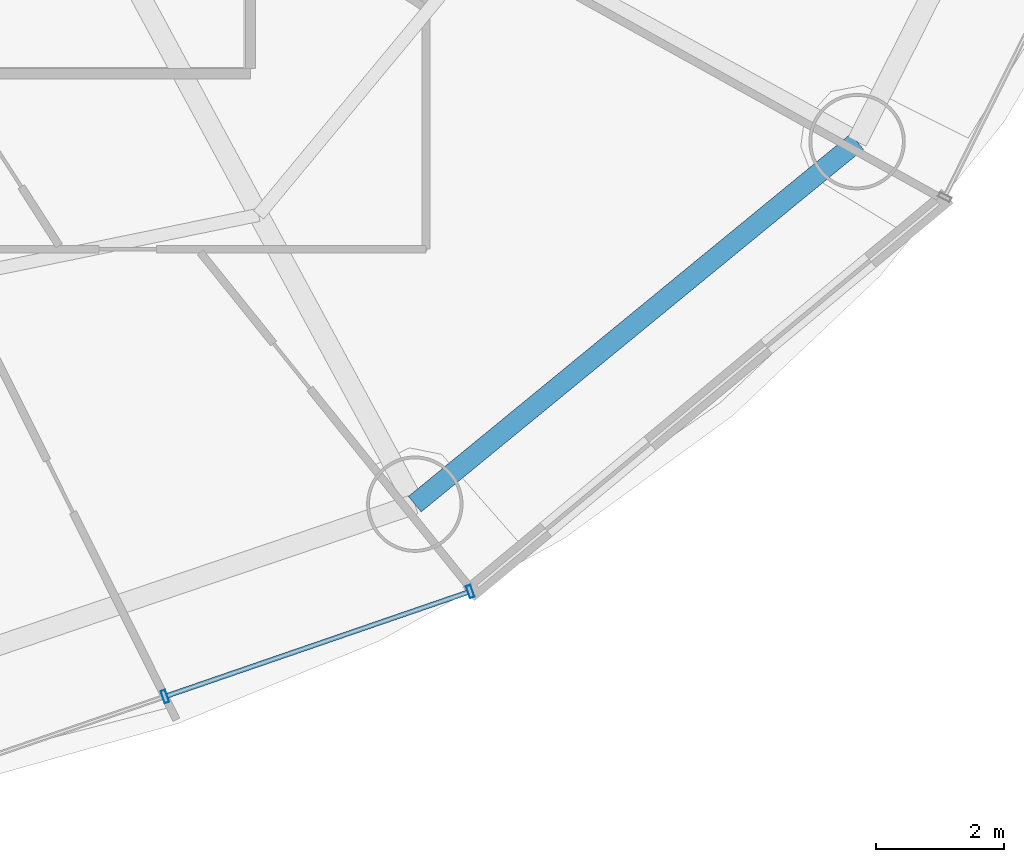
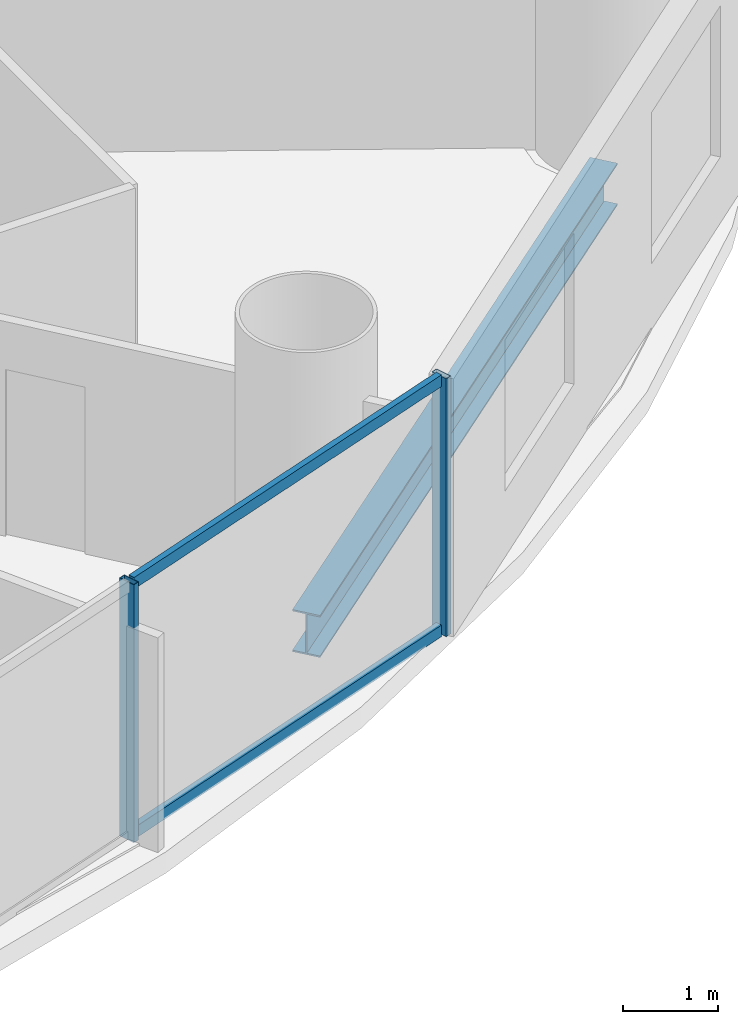
# One storey, part 11 of 29: 4 members, 1 beam, 1 element without a shape of its own.
"""IFC4 building model written with IfcOpenShell, lengths in metres."""

from ifc_helpers import new_model, si_unit, direction, frame, origin, origin_2d, place, context, subcontext, project, spatial, hollow_rectangle, i_section, extrude, source, transform, mapped, material, material_profile, profile_set, type_object, element, aggregate, save


model = new_model("IFC4")

# Units and contexts
model_context = context("Model", 3, precision=1e-05, world=origin(), true_north=direction((-0.2419218956, 0.970295726276)))
body_context = subcontext(model_context, "Body", "Model", "MODEL_VIEW")
ifc_project = project(units=[si_unit("LENGTHUNIT", "METRE"), si_unit("AREAUNIT", "SQUARE_METRE"), si_unit("VOLUMEUNIT", "CUBIC_METRE"), si_unit("PLANEANGLEUNIT", "RADIAN"), si_unit("MASSUNIT", "GRAM", prefix="KILO")], contexts=[model_context])

# Site, building, storey
site_placement = place(None, origin())
site = spatial("IfcSite", under=ifc_project, at=site_placement, CompositionType="ELEMENT")
building_placement = place(site_placement, origin())
building = spatial("IfcBuilding", under=site, at=building_placement, Name="Cobrevalo Terracotta Tower", CompositionType="ELEMENT")
storey_placement = place(building_placement, frame((0.0, 0.0, 112.199951171875)))
storey = spatial("IfcBuildingStorey", under=building, at=storey_placement, Name="L29", CompositionType="ELEMENT", Elevation=112.199951171875)

# Beam
ifc_material_1 = material(Name="Steel S355", Category="steel")
ifc_material_profile_1 = material_profile(ifc_material_1, i_section(OverallWidth=0.31201171875, OverallDepth=0.54296875, WebThickness=0.0126953125, FlangeThickness=0.020263671875, at=origin_2d()), Name="W 530x150")
ifc_profile_set_1 = profile_set([ifc_material_profile_1], Name="Steel S355")
beam_type = type_object("IfcBeamType", Name="Structural Spandrel W 530x150 (Steel S355)", PredefinedType="SPANDREL", material=ifc_profile_set_1)
beam_placement = place(storey_placement, frame((51.861572265625, 9.79638671875, -0.54638671875), z_axis=(0.773400923541, 0.633917196064, 0.0), x_axis=(-0.633917196064, 0.773400923541, 0.0)))
element("IfcBeam", 1, at=beam_placement, inside=storey, type_object=beam_type, Name="L29 perimeter ring spandrel 14", PredefinedType="SPANDREL", context=body_context, shape_type="SweptSolid", body=[
    extrude(i_section(OverallWidth=0.31201171875, OverallDepth=0.54296875, WebThickness=0.0126953125, FlangeThickness=0.020263671875, at=origin_2d()), origin(), (0.0, 0.0, 1.0), 8.900390625),
])

# Curtain wall, members
ifc_material_2 = material(Name="Anodized aluminium", Category="aluminium")
curtain_wall_type = type_object("IfcCurtainWallType", Name="Lower-tower unitised acoustic low-E curtain wall CW-U1", PredefinedType="NOTDEFINED", material=ifc_material_2)
curtain_wall_placement = place(storey_placement, origin())
curtain_wall = element("IfcCurtainWall", 2, at=curtain_wall_placement, inside=storey, type_object=curtain_wall_type, Name="L29 curtain wall CW-L29-S13", PredefinedType="NOTDEFINED")
ifc_material_profile_2 = material_profile(ifc_material_2, hollow_rectangle(XDim=0.074951171875, YDim=0.199951171875, WallThickness=0.0048828125, at=origin_2d()), Name="CWM 75x200")
ifc_profile_set_2 = profile_set([ifc_material_profile_2], Name="Anodized aluminium")
member_type_1 = type_object("IfcMemberType", Name="Lower/mid tower unitised mullion 75x200", PredefinedType="MULLION", material=ifc_profile_set_2)
shared_shape_1 = source(origin(), body_context, "Body", "SweptSolid", [
    extrude(hollow_rectangle(XDim=0.074951171875, YDim=0.199951171875, WallThickness=0.0048828125, at=origin_2d()), origin(), (0.0, 0.0, 1.0), 3.324951171875),
])
member_1_placement = place(storey_placement, frame((47.972412109375, 6.8017578125, 0.0), z_axis=(0.0, 0.0, 1.0), x_axis=(0.94559809868, 0.325337110968, 0.0)))
member_1 = element("IfcMember", 3, at=member_1_placement, type_object=member_type_1, Name="CW-L29-S13 vertical mullion 02", PredefinedType="MULLION", context=body_context, shape_type="MappedRepresentation", body=[
    mapped(shared_shape_1, transform((0.0, 0.0, 0.0), scale=1.0)),
])
member_2_placement = place(storey_placement, frame((52.7236328125, 8.4365234375, 0.0), z_axis=(0.0, 0.0, 1.0), x_axis=(0.94559809868, 0.325337110968, 0.0)))
member_2 = element("IfcMember", 4, at=member_2_placement, type_object=member_type_1, Name="CW-L29-S13 vertical mullion 03", PredefinedType="MULLION", context=body_context, shape_type="MappedRepresentation", body=[
    mapped(shared_shape_1, transform((0.0, 0.0, 0.0), scale=1.0)),
])
ifc_material_profile_3 = material_profile(ifc_material_2, hollow_rectangle(XDim=0.074951171875, YDim=0.14990234375, WallThickness=0.00439453125, at=origin_2d()), Name="CWT 75x150")
ifc_profile_set_3 = profile_set([ifc_material_profile_3], Name="Anodized aluminium")
member_type_2 = type_object("IfcMemberType", Name="Tower unitised aluminium transom 75x150", PredefinedType="USERDEFINED", material=ifc_profile_set_3)
shared_shape_2 = source(origin(), body_context, "Body", "SweptSolid", [
    extrude(hollow_rectangle(XDim=0.074951171875, YDim=0.14990234375, WallThickness=0.00439453125, at=origin_2d()), origin(), (0.0, 0.0, 1.0), 4.944580078125),
])
member_3_placement = place(storey_placement, frame((48.01025390625, 6.814697265625, 0.050048828125), z_axis=(0.945597859971, 0.32533780478, 0.0), x_axis=(-0.32533780478, 0.945597859971, 0.0)))
member_3 = element("IfcMember", 5, at=member_3_placement, type_object=member_type_2, Name="CW-L29-S13 transom B02-T1", ObjectType="TRANSOM", PredefinedType="USERDEFINED", context=body_context, shape_type="MappedRepresentation", body=[
    mapped(shared_shape_2, transform((0.0, 0.0, 0.0), scale=1.0)),
])
member_4_placement = place(storey_placement, frame((48.01025390625, 6.814697265625, 3.275146484375), z_axis=(0.945597859971, 0.32533780478, 0.0), x_axis=(-0.32533780478, 0.945597859971, 0.0)))
member_4 = element("IfcMember", 6, at=member_4_placement, type_object=member_type_2, Name="CW-L29-S13 transom B02-T2", ObjectType="TRANSOM", PredefinedType="USERDEFINED", context=body_context, shape_type="MappedRepresentation", body=[
    mapped(shared_shape_2, transform((0.0, 0.0, 0.0), scale=1.0)),
])
aggregate(curtain_wall, [member_1, member_2, member_3, member_4])

save(model, "model.ifc")
